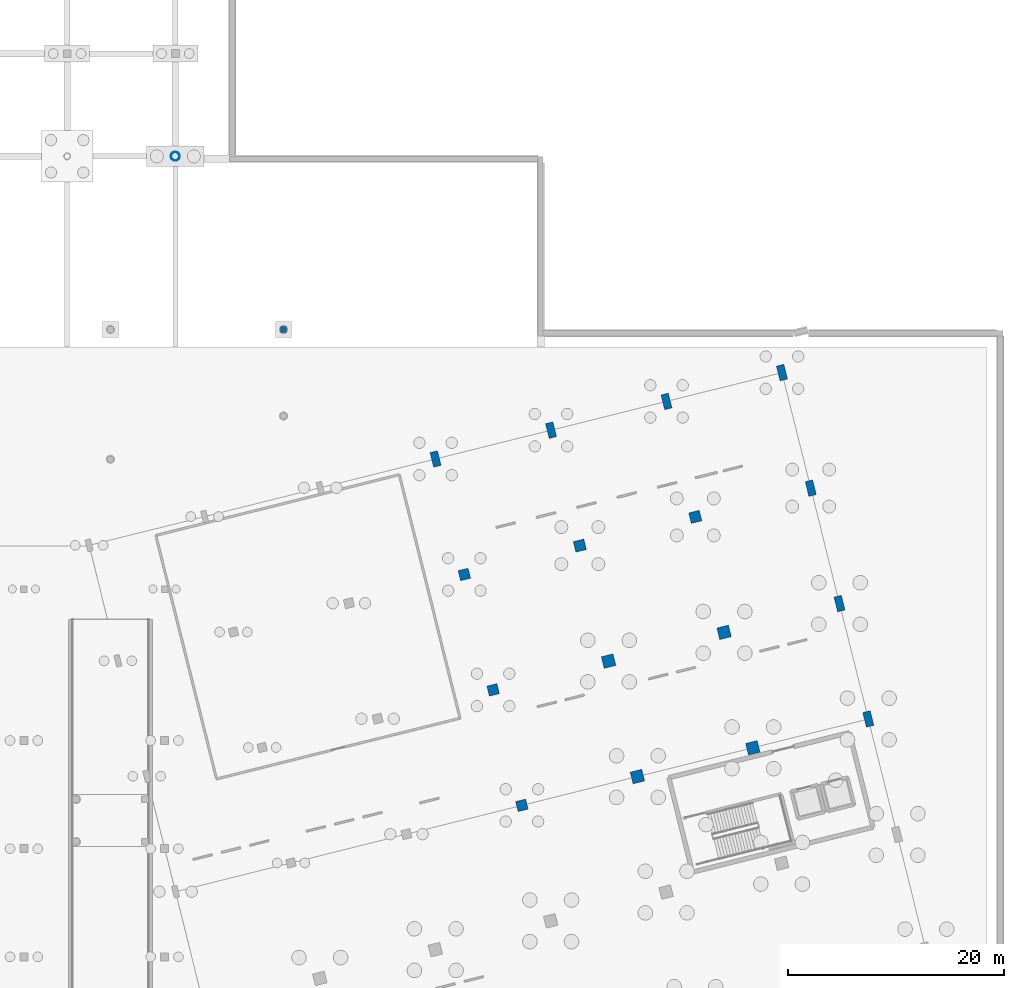
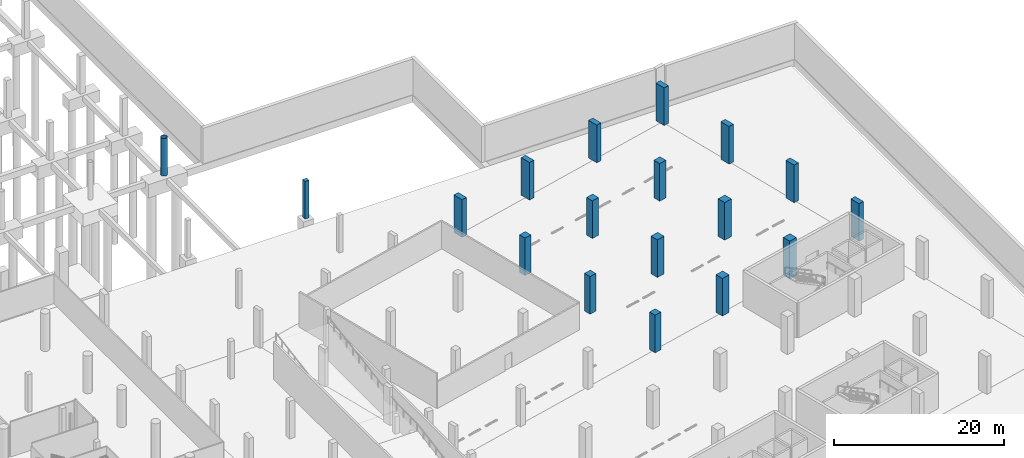
# One storey, part 38 of 65: 18 columns.
"""IFC4 building model written with IfcOpenShell, lengths in metres."""

import ifcopenshell
import ifcopenshell.guid

model = None  # the IFC model being written
_history = None  # IfcOwnerHistory: only IFC2X3 demands one
_inside = {}  # id of a spatial element -> (the spatial element, [elements in it])
_under = {}  # id of a project, library or spatial element -> (it, [spatial elements below it])
_declared = {}  # id of a project -> (the project, [libraries it declares])
_typed = {}  # id of a type object -> (the type object, [elements of that type])
_made_of = {}  # id of a material, layer set ... -> (it, [elements and type objects made of it])


def new_model(schema):
    """Start an empty IFC model of exactly this schema.

    Asked for "IFC4X3", IfcOpenShell would pick the latest addendum, in which some entities
    have other attributes; the version numbers below select the first issue.
    IFC2X3 requires an IfcOwnerHistory on every rooted entity: one is made here for all.
    """
    global model, _history
    if schema == "IFC4X3":
        model = ifcopenshell.file(schema_version=(4, 3, 0, 0))
    else:
        model = ifcopenshell.file(schema=schema)
    _inside.clear()
    _under.clear()
    _declared.clear()
    _typed.clear()
    _made_of.clear()
    _history = None
    if model.schema == "IFC2X3":
        org = make("IfcOrganization", Name="unknown")
        user = make(
            "IfcPersonAndOrganization",
            ThePerson=make("IfcPerson", FamilyName="unknown"),
            TheOrganization=org,
        )
        app = make(
            "IfcApplication",
            ApplicationDeveloper=org,
            Version="unknown",
            ApplicationFullName="unknown",
            ApplicationIdentifier="unknown",
        )
        _history = make(
            "IfcOwnerHistory",
            OwningUser=user,
            OwningApplication=app,
            ChangeAction="ADDED",
            CreationDate=0,
        )
    return model


def make(cls, **values):
    """One entity of the class cls with the attributes given. An attribute that is None is left unset."""
    return model.create_entity(
        cls, **{name: value for name, value in values.items() if value is not None}
    )


def rooted(cls, **values):
    """An entity with a GlobalId (a new one), such as an element, a storey or a relation."""
    return make(cls, GlobalId=ifcopenshell.guid.new(), OwnerHistory=_history, **values)


def si_unit(unit_type, name, prefix=None):
    """IfcSIUnit, for example si_unit("LENGTHUNIT", "METRE", prefix="MILLI")."""
    return make("IfcSIUnit", UnitType=unit_type, Prefix=prefix, Name=name)


def assignment(units):
    """IfcUnitAssignment: the units of a project."""
    return None if units is None else make("IfcUnitAssignment", Units=units)


def point(xyz):
    """IfcCartesianPoint."""
    return None if xyz is None else make("IfcCartesianPoint", Coordinates=xyz)


def direction(xyz):
    """IfcDirection."""
    return None if xyz is None else make("IfcDirection", DirectionRatios=xyz)


def frame(location, z_axis=None, x_axis=None):
    """IfcAxis2Placement3D, a coordinate frame: its origin and axes. An axis left out is left unset."""
    return make(
        "IfcAxis2Placement3D",
        Location=point(location),
        Axis=direction(z_axis),
        RefDirection=direction(x_axis),
    )


def frame_2d(location, x_axis=None):
    """IfcAxis2Placement2D, a coordinate frame in the plane: its origin and x axis."""
    return make(
        "IfcAxis2Placement2D", Location=point(location), RefDirection=direction(x_axis)
    )


def origin():
    """The frame at (0, 0, 0) with its axes left unset."""
    return frame((0.0, 0.0, 0.0))


def origin_2d():
    """The frame at (0, 0) in the plane with its x axis left unset."""
    return frame_2d((0.0, 0.0))


def place(relative_to, where):
    """IfcLocalPlacement: puts the frame where relative to a parent placement (None: the world)."""
    return make(
        "IfcLocalPlacement", PlacementRelTo=relative_to, RelativePlacement=where
    )


def context(
    kind, dimensions, precision=None, world=None, true_north=None, identifier=None
):
    """IfcGeometricRepresentationContext, for example the 3D "Model" context."""
    return make(
        "IfcGeometricRepresentationContext",
        ContextIdentifier=identifier,
        ContextType=kind,
        CoordinateSpaceDimension=dimensions,
        Precision=precision,
        WorldCoordinateSystem=world,
        TrueNorth=true_north,
    )


def subcontext(parent, identifier, kind, view, scale=None):
    """IfcGeometricRepresentationSubContext, for example "Body" below "Model"."""
    return make(
        "IfcGeometricRepresentationSubContext",
        ContextIdentifier=identifier,
        ContextType=kind,
        ParentContext=parent,
        TargetScale=scale,
        TargetView=view,
    )


def project(units=None, contexts=None):
    """IfcProject with its units and contexts."""
    return rooted(
        "IfcProject",
        Name="project",
        RepresentationContexts=contexts,
        UnitsInContext=assignment(units),
    )


def spatial(cls, under=None, at=None, **own):
    """A site, building, storey or space (cls), placed at a placement, below another one or the project."""
    s = rooted(cls, ObjectPlacement=at, **own)
    if under is not None:
        _under.setdefault(under.id(), (under, []))[1].append(s)
    return s


def profile(cls, at=None, kind="AREA", **sizes):
    """A parametric profile (cls). Its sizes go by their IFC names, for example OverallWidth=200.0."""
    return make(cls, ProfileType=kind, Position=at, **sizes)


def rectangle(**sizes):
    """IfcRectangleProfileDef."""
    return profile("IfcRectangleProfileDef", **sizes)


def hollow_circle(**sizes):
    """IfcCircleHollowProfileDef."""
    return profile("IfcCircleHollowProfileDef", **sizes)


def extrude(swept, where, along, depth):
    """IfcExtrudedAreaSolid: the profile swept, set in the frame where, extruded along a direction by depth."""
    return make(
        "IfcExtrudedAreaSolid",
        SweptArea=swept,
        Position=where,
        ExtrudedDirection=direction(along),
        Depth=depth,
    )


def shape(context_of_items, identifier, shape_type, items):
    """IfcShapeRepresentation: the items that make up one representation, for example the "Body"."""
    return make(
        "IfcShapeRepresentation",
        ContextOfItems=context_of_items,
        RepresentationIdentifier=identifier,
        RepresentationType=shape_type,
        Items=items,
    )


def material(Name=None, Category=None):
    """IfcMaterial."""
    return make("IfcMaterial", Name=Name, Category=Category)


def material_profile(
    of_material, cross_section, Name=None, Category=None, Priority=None
):
    """IfcMaterialProfile: a cross section and its material."""
    return make(
        "IfcMaterialProfile",
        Name=Name,
        Material=of_material,
        Profile=cross_section,
        Priority=Priority,
        Category=Category,
    )


def profile_set(profiles, Name=None, composite=None):
    """IfcMaterialProfileSet."""
    return make(
        "IfcMaterialProfileSet",
        Name=Name,
        MaterialProfiles=profiles,
        CompositeProfile=composite,
    )


def made_of(thing, what):
    """Note that an element or type object is made of a material, layer set ...; save() writes the relation."""
    if what is not None:
        _made_of.setdefault(what.id(), (what, []))[1].append(thing)
    return thing


def type_object(cls, material=None, **own):
    """A type object (cls), such as IfcWallType, which elements share."""
    return made_of(rooted(cls, **own), material)


def element(
    cls,
    number,
    at=None,
    inside=None,
    cuts=None,
    type_object=None,
    material=None,
    context=None,
    identifier="Body",
    shape_type=None,
    held_by="IfcProductDefinitionShape",
    body=None,
    shapes=None,
    **own,
):
    """One element of the class cls, such as IfcWall. Its Tag is "e" and its number.

    at: its placement. inside: the storey or other place that contains it. cuts: it is an
    opening in that element (IfcRelVoidsElement). A single representation is given by context,
    identifier, shape_type and body (its items); several are given by shapes. held_by: the class
    of the entity that holds the representations. save() writes the other relations.
    """
    e = rooted(cls, Tag="e%d" % number, ObjectPlacement=at, **own)
    if body is not None:
        shapes = [shape(context, identifier, shape_type, body)]
    if shapes is not None:
        e.Representation = make(held_by, Representations=shapes)
    if inside is not None:
        _inside.setdefault(inside.id(), (inside, []))[1].append(e)
    if cuts is not None:
        rooted(
            "IfcRelVoidsElement", RelatingBuildingElement=cuts, RelatedOpeningElement=e
        )
    if type_object is not None:
        _typed.setdefault(type_object.id(), (type_object, []))[1].append(e)
    return made_of(e, material)


def aggregate(whole, parts):
    """IfcRelAggregates: a whole, such as a stair, and the parts it consists of."""
    return rooted("IfcRelAggregates", RelatingObject=whole, RelatedObjects=parts)


def save(model, path):
    """Write the relations noted so far, then the file.

    IfcRelAggregates (storeys below a building ...), IfcRelContainedInSpatialStructure (elements
    in a storey), IfcRelDefinesByType, IfcRelAssociatesMaterial and IfcRelDeclares: one each for
    every whole, place, type object, material and project.
    """
    for whole, parts in _under.values():
        aggregate(whole, parts)
    for where, things in _inside.values():
        rooted(
            "IfcRelContainedInSpatialStructure",
            RelatedElements=things,
            RelatingStructure=where,
        )
    for kind, things in _typed.values():
        rooted("IfcRelDefinesByType", RelatedObjects=things, RelatingType=kind)
    for what, things in _made_of.values():
        rooted("IfcRelAssociatesMaterial", RelatedObjects=things, RelatingMaterial=what)
    for by, libraries in _declared.values():
        rooted("IfcRelDeclares", RelatingContext=by, RelatedDefinitions=libraries)
    model.write(path)


model = new_model("IFC4")

# Units and contexts
model_context = context("Model", 3, precision=1e-05, world=origin(), true_north=direction((0.0, 1.0)))
body_context = subcontext(model_context, "Body", "Model", "MODEL_VIEW")
ifc_project = project(units=[si_unit("LENGTHUNIT", "METRE"), si_unit("AREAUNIT", "SQUARE_METRE"), si_unit("VOLUMEUNIT", "CUBIC_METRE"), si_unit("PLANEANGLEUNIT", "RADIAN"), si_unit("MASSUNIT", "GRAM", prefix="KILO")], contexts=[model_context])

# Site, building, storey
site_placement = place(None, origin())
site = spatial("IfcSite", under=ifc_project, at=site_placement, CompositionType="ELEMENT")
building_placement = place(site_placement, origin())
building = spatial("IfcBuilding", under=site, at=building_placement, Name="Khorjan Park Terminus", CompositionType="ELEMENT")
storey_placement = place(building_placement, frame((0.0, 0.0, -5.4)))
storey = spatial("IfcBuildingStorey", under=building, at=storey_placement, Name="B1", CompositionType="ELEMENT", Elevation=-5.4)

# Columns
ifc_material_1 = material(Name="Concrete C50/60", Category="concrete")
ifc_material_profile_1 = material_profile(ifc_material_1, rectangle(XDim=0.7, YDim=1.4, at=origin_2d()), Name="RC 700x1400")
ifc_profile_set_1 = profile_set([ifc_material_profile_1], Name="Concrete C50/60")
column_type_1 = type_object("IfcColumnType", Name="COL-BL1400E", PredefinedType="COLUMN", material=ifc_profile_set_1)
for number, where, z_axis, x_axis, name in (
    (1, (182.053, 74.023, 0.0), (0.0, 0.0, 1.0), (0.970295726276, 0.2419218956, 0.0), "Structural column C-BL14 (B1 #785)"),
    (2, (192.726, 76.684, 0.0), (0.0, 0.0, 1.0), (0.970295726276, 0.2419218956, 0.0), "Structural column C-BL14 (B1 #831)"),
    (3, (203.399, 79.345, 0.0), (0.0, 0.0, 1.0), (0.970295726276, 0.2419218956, 0.0), "Structural column C-BL14 (B1 #877)"),
    (4, (222.056, 49.987, 0.0), (0.0, 0.0, 1.0), (0.970295726276, 0.2419218956, 0.0), "Structural column C-BL14 (B1 #903)"),
    (5, (219.395, 60.66, 0.0), (0.0, 0.0, 1.0), (0.970295726276, 0.2419218956, 0.0), "Structural column C-BL14 (B1 #910)"),
    (6, (216.734, 71.333, 0.0), (0.0, 0.0, 1.0), (0.970295726276, 0.2419218956, 0.0), "Structural column C-BL14 (B1 #917)"),
    (7, (214.073, 82.006, 0.0), (0.0, 0.0, 1.0), (0.970295726276, 0.2419218956, 0.0), "Structural column C-BL14 (B1 #923)"),
):
    element("IfcColumn", number, at=place(storey_placement, frame(where, z_axis=z_axis, x_axis=x_axis)), inside=storey, type_object=column_type_1, Name=name, PredefinedType="COLUMN", context=body_context, shape_type="SweptSolid", body=[
        extrude(rectangle(XDim=0.7, YDim=1.4, at=origin_2d()), origin(), (0.0, 0.0, 1.0), 5.4),
    ])
ifc_material_profile_2 = material_profile(ifc_material_1, rectangle(XDim=1.0, YDim=1.0, at=origin_2d()), Name="RC 1000x1000")
ifc_profile_set_2 = profile_set([ifc_material_profile_2], Name="Concrete C50/60")
column_type_2 = type_object("IfcColumnType", Name="COL-RC1000", PredefinedType="COLUMN", material=ifc_profile_set_2)
for number, where, z_axis, x_axis, name in (
    (8, (195.387, 66.011, 0.0), (0.0, 0.0, 1.0), (0.970295726276, 0.2419218956, 0.0), "Structural column C-RC10 (B1 #825)"),
    (9, (206.061, 68.672, 0.0), (0.0, 0.0, 1.0), (0.970295726276, 0.2419218956, 0.0), "Structural column C-RC10 (B1 #871)"),
):
    element("IfcColumn", number, at=place(storey_placement, frame(where, z_axis=z_axis, x_axis=x_axis)), inside=storey, type_object=column_type_2, Name=name, PredefinedType="COLUMN", context=body_context, shape_type="SweptSolid", body=[
        extrude(rectangle(XDim=1.0, YDim=1.0, at=origin_2d()), origin(), (0.0, 0.0, 1.0), 5.4),
    ])
ifc_material_profile_3 = material_profile(ifc_material_1, rectangle(XDim=1.1, YDim=1.1, at=origin_2d()), Name="RC 1100x1100")
ifc_profile_set_3 = profile_set([ifc_material_profile_3], Name="Concrete C50/60")
column_type_3 = type_object("IfcColumnType", Name="COL-RC1100", PredefinedType="COLUMN", material=ifc_profile_set_3)
for number, where, z_axis, x_axis, name in (
    (10, (200.71, 44.664, 0.0), (0.0, 0.0, 1.0), (0.970295726276, 0.2419218956, 0.0), "Structural column C-RC11 (B1 #811)"),
    (11, (198.048, 55.338, 0.0), (0.0, 0.0, 1.0), (0.970295726276, 0.2419218956, 0.0), "Structural column C-RC11 (B1 #818)"),
    (12, (211.383, 47.325, 0.0), (0.0, 0.0, 1.0), (0.970295726276, 0.2419218956, 0.0), "Structural column C-RC11 (B1 #857)"),
    (13, (208.722, 57.999, 0.0), (0.0, 0.0, 1.0), (0.970295726276, 0.2419218956, 0.0), "Structural column C-RC11 (B1 #864)"),
):
    element("IfcColumn", number, at=place(storey_placement, frame(where, z_axis=z_axis, x_axis=x_axis)), inside=storey, type_object=column_type_3, Name=name, PredefinedType="COLUMN", context=body_context, shape_type="SweptSolid", body=[
        extrude(rectangle(XDim=1.1, YDim=1.1, at=origin_2d()), origin(), (0.0, 0.0, 1.0), 5.4),
    ])
ifc_material_2 = material(Name="Concrete C40/50", Category="concrete")
ifc_material_profile_4 = material_profile(ifc_material_2, rectangle(XDim=0.55, YDim=0.55, at=origin_2d()), Name="RC 550x550")
ifc_profile_set_4 = profile_set([ifc_material_profile_4], Name="Concrete C40/50")
column_type_4 = type_object("IfcColumnType", Name="COL-RC550", PredefinedType="COLUMN", material=ifc_profile_set_4)
column_1_placement = place(storey_placement, frame((168.0, 86.0, 0.0), z_axis=(0.0, 0.0, 1.0), x_axis=(1.0, 0.0, 0.0)))
element("IfcColumn", 14, at=column_1_placement, inside=storey, type_object=column_type_4, Name="Structural column C-RC55 (B1 #989)", PredefinedType="COLUMN", context=body_context, shape_type="SweptSolid", body=[
    extrude(rectangle(XDim=0.55, YDim=0.55, at=origin_2d()), origin(), (0.0, 0.0, 1.0), 5.4),
])
ifc_material_profile_5 = material_profile(ifc_material_1, rectangle(XDim=0.95, YDim=0.95, at=origin_2d()), Name="RC 950x950")
ifc_profile_set_5 = profile_set([ifc_material_profile_5], Name="Concrete C50/60")
column_type_5 = type_object("IfcColumnType", Name="COL-RC950", PredefinedType="COLUMN", material=ifc_profile_set_5)
for number, where, z_axis, x_axis, name in (
    (15, (190.036, 42.003, 0.0), (0.0, 0.0, 1.0), (0.970295726276, 0.2419218956, 0.0), "Structural column C-RC95 (B1 #770)"),
    (16, (187.375, 52.676, 0.0), (0.0, 0.0, 1.0), (0.970295726276, 0.2419218956, 0.0), "Structural column C-RC95 (B1 #775)"),
    (17, (184.714, 63.35, 0.0), (0.0, 0.0, 1.0), (0.970295726276, 0.2419218956, 0.0), "Structural column C-RC95 (B1 #780)"),
):
    element("IfcColumn", number, at=place(storey_placement, frame(where, z_axis=z_axis, x_axis=x_axis)), inside=storey, type_object=column_type_5, Name=name, PredefinedType="COLUMN", context=body_context, shape_type="SweptSolid", body=[
        extrude(rectangle(XDim=0.95, YDim=0.95, at=origin_2d()), origin(), (0.0, 0.0, 1.0), 5.4),
    ])
ifc_material_3 = material(Name="Steel S355", Category="steel")
ifc_material_profile_6 = material_profile(ifc_material_3, hollow_circle(Radius=0.4065, WallThickness=0.025, at=origin_2d()), Name="CHS 813x25")
ifc_profile_set_6 = profile_set([ifc_material_profile_6], Name="Steel S355")
column_type_6 = type_object("IfcColumnType", Name="COL-SH813E", PredefinedType="COLUMN", material=ifc_profile_set_6)
column_2_placement = place(storey_placement, frame((158.0, 102.0, 0.0), z_axis=(0.0, 0.0, 1.0), x_axis=(1.0, 0.0, 0.0)))
element("IfcColumn", 18, at=column_2_placement, inside=storey, type_object=column_type_6, Name="Structural column SC-81 (B1 #218)", PredefinedType="COLUMN", context=body_context, shape_type="SweptSolid", body=[
    extrude(hollow_circle(Radius=0.4065, WallThickness=0.025, at=origin_2d()), origin(), (0.0, 0.0, 1.0), 5.4),
])

save(model, "model.ifc")
